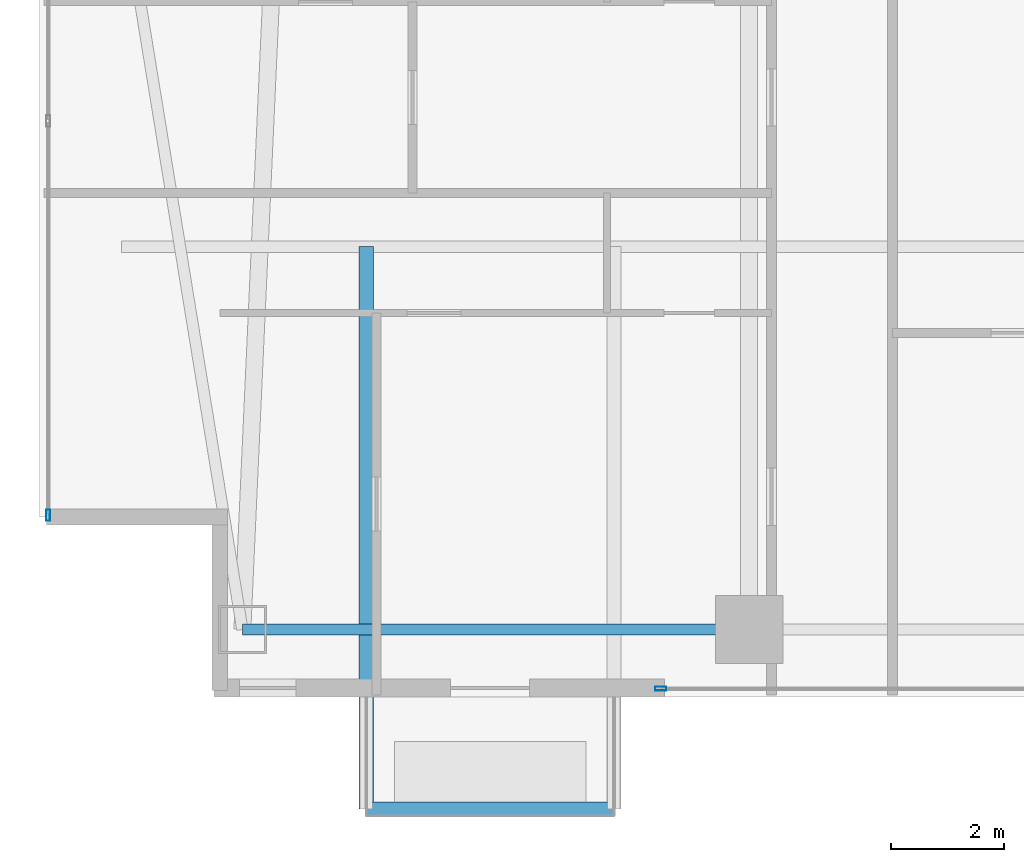
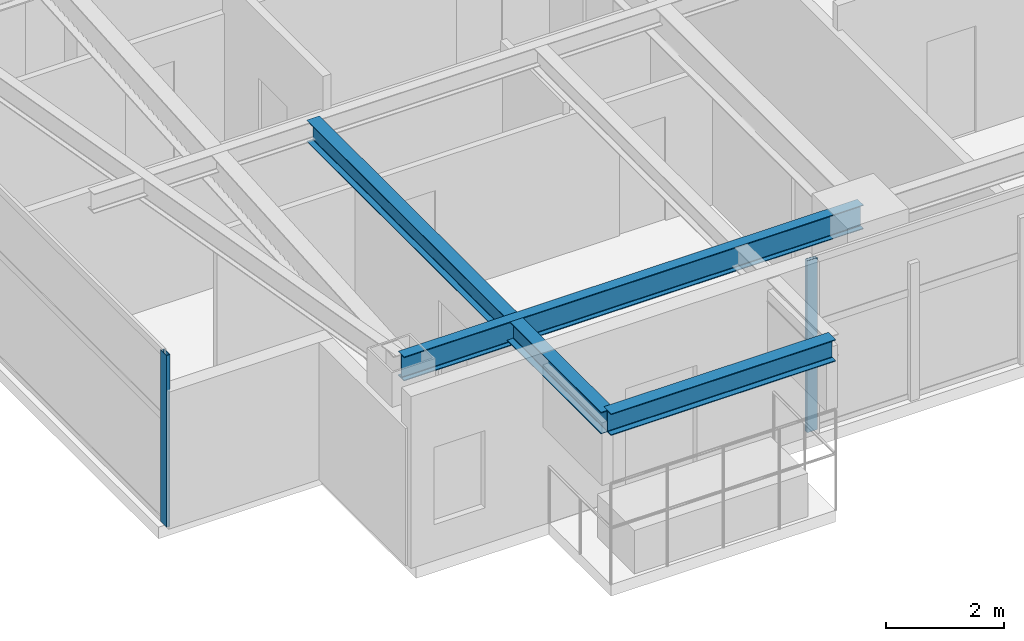
# One storey, part 2 of 29: 3 beams, 2 members, 2 elements without a shape of their own.
"""IFC4 building model written with IfcOpenShell, lengths in metres."""

import ifcopenshell
import ifcopenshell.guid

model = None  # the IFC model being written
_history = None  # IfcOwnerHistory: only IFC2X3 demands one
_inside = {}  # id of a spatial element -> (the spatial element, [elements in it])
_under = {}  # id of a project, library or spatial element -> (it, [spatial elements below it])
_declared = {}  # id of a project -> (the project, [libraries it declares])
_typed = {}  # id of a type object -> (the type object, [elements of that type])
_made_of = {}  # id of a material, layer set ... -> (it, [elements and type objects made of it])


def new_model(schema):
    """Start an empty IFC model of exactly this schema.

    Asked for "IFC4X3", IfcOpenShell would pick the latest addendum, in which some entities
    have other attributes; the version numbers below select the first issue.
    IFC2X3 requires an IfcOwnerHistory on every rooted entity: one is made here for all.
    """
    global model, _history
    if schema == "IFC4X3":
        model = ifcopenshell.file(schema_version=(4, 3, 0, 0))
    else:
        model = ifcopenshell.file(schema=schema)
    _inside.clear()
    _under.clear()
    _declared.clear()
    _typed.clear()
    _made_of.clear()
    _history = None
    if model.schema == "IFC2X3":
        org = make("IfcOrganization", Name="unknown")
        user = make(
            "IfcPersonAndOrganization",
            ThePerson=make("IfcPerson", FamilyName="unknown"),
            TheOrganization=org,
        )
        app = make(
            "IfcApplication",
            ApplicationDeveloper=org,
            Version="unknown",
            ApplicationFullName="unknown",
            ApplicationIdentifier="unknown",
        )
        _history = make(
            "IfcOwnerHistory",
            OwningUser=user,
            OwningApplication=app,
            ChangeAction="ADDED",
            CreationDate=0,
        )
    return model


def make(cls, **values):
    """One entity of the class cls with the attributes given. An attribute that is None is left unset."""
    return model.create_entity(
        cls, **{name: value for name, value in values.items() if value is not None}
    )


def rooted(cls, **values):
    """An entity with a GlobalId (a new one), such as an element, a storey or a relation."""
    return make(cls, GlobalId=ifcopenshell.guid.new(), OwnerHistory=_history, **values)


def si_unit(unit_type, name, prefix=None):
    """IfcSIUnit, for example si_unit("LENGTHUNIT", "METRE", prefix="MILLI")."""
    return make("IfcSIUnit", UnitType=unit_type, Prefix=prefix, Name=name)


def assignment(units):
    """IfcUnitAssignment: the units of a project."""
    return None if units is None else make("IfcUnitAssignment", Units=units)


def point(xyz):
    """IfcCartesianPoint."""
    return None if xyz is None else make("IfcCartesianPoint", Coordinates=xyz)


def direction(xyz):
    """IfcDirection."""
    return None if xyz is None else make("IfcDirection", DirectionRatios=xyz)


def frame(location, z_axis=None, x_axis=None):
    """IfcAxis2Placement3D, a coordinate frame: its origin and axes. An axis left out is left unset."""
    return make(
        "IfcAxis2Placement3D",
        Location=point(location),
        Axis=direction(z_axis),
        RefDirection=direction(x_axis),
    )


def frame_2d(location, x_axis=None):
    """IfcAxis2Placement2D, a coordinate frame in the plane: its origin and x axis."""
    return make(
        "IfcAxis2Placement2D", Location=point(location), RefDirection=direction(x_axis)
    )


def origin():
    """The frame at (0, 0, 0) with its axes left unset."""
    return frame((0.0, 0.0, 0.0))


def origin_2d():
    """The frame at (0, 0) in the plane with its x axis left unset."""
    return frame_2d((0.0, 0.0))


def place(relative_to, where):
    """IfcLocalPlacement: puts the frame where relative to a parent placement (None: the world)."""
    return make(
        "IfcLocalPlacement", PlacementRelTo=relative_to, RelativePlacement=where
    )


def context(
    kind, dimensions, precision=None, world=None, true_north=None, identifier=None
):
    """IfcGeometricRepresentationContext, for example the 3D "Model" context."""
    return make(
        "IfcGeometricRepresentationContext",
        ContextIdentifier=identifier,
        ContextType=kind,
        CoordinateSpaceDimension=dimensions,
        Precision=precision,
        WorldCoordinateSystem=world,
        TrueNorth=true_north,
    )


def subcontext(parent, identifier, kind, view, scale=None):
    """IfcGeometricRepresentationSubContext, for example "Body" below "Model"."""
    return make(
        "IfcGeometricRepresentationSubContext",
        ContextIdentifier=identifier,
        ContextType=kind,
        ParentContext=parent,
        TargetScale=scale,
        TargetView=view,
    )


def project(units=None, contexts=None):
    """IfcProject with its units and contexts."""
    return rooted(
        "IfcProject",
        Name="project",
        RepresentationContexts=contexts,
        UnitsInContext=assignment(units),
    )


def spatial(cls, under=None, at=None, **own):
    """A site, building, storey or space (cls), placed at a placement, below another one or the project."""
    s = rooted(cls, ObjectPlacement=at, **own)
    if under is not None:
        _under.setdefault(under.id(), (under, []))[1].append(s)
    return s


def profile(cls, at=None, kind="AREA", **sizes):
    """A parametric profile (cls). Its sizes go by their IFC names, for example OverallWidth=200.0."""
    return make(cls, ProfileType=kind, Position=at, **sizes)


def hollow_rectangle(**sizes):
    """IfcRectangleHollowProfileDef."""
    return profile("IfcRectangleHollowProfileDef", **sizes)


def i_section(**sizes):
    """IfcIShapeProfileDef."""
    return profile("IfcIShapeProfileDef", **sizes)


def extrude(swept, where, along, depth):
    """IfcExtrudedAreaSolid: the profile swept, set in the frame where, extruded along a direction by depth."""
    return make(
        "IfcExtrudedAreaSolid",
        SweptArea=swept,
        Position=where,
        ExtrudedDirection=direction(along),
        Depth=depth,
    )


def shape(context_of_items, identifier, shape_type, items):
    """IfcShapeRepresentation: the items that make up one representation, for example the "Body"."""
    return make(
        "IfcShapeRepresentation",
        ContextOfItems=context_of_items,
        RepresentationIdentifier=identifier,
        RepresentationType=shape_type,
        Items=items,
    )


def material(Name=None, Category=None):
    """IfcMaterial."""
    return make("IfcMaterial", Name=Name, Category=Category)


def layer(
    of_material, thickness, ventilated=None, Name=None, Category=None, Priority=None
):
    """IfcMaterialLayer: one layer of a wall or slab, of a material (None: an air gap)."""
    return make(
        "IfcMaterialLayer",
        Material=of_material,
        LayerThickness=thickness,
        IsVentilated=ventilated,
        Name=Name,
        Category=Category,
        Priority=Priority,
    )


def layer_set(layers, Name=None):
    """IfcMaterialLayerSet."""
    return make("IfcMaterialLayerSet", MaterialLayers=layers, LayerSetName=Name)


def material_profile(
    of_material, cross_section, Name=None, Category=None, Priority=None
):
    """IfcMaterialProfile: a cross section and its material."""
    return make(
        "IfcMaterialProfile",
        Name=Name,
        Material=of_material,
        Profile=cross_section,
        Priority=Priority,
        Category=Category,
    )


def profile_set(profiles, Name=None, composite=None):
    """IfcMaterialProfileSet."""
    return make(
        "IfcMaterialProfileSet",
        Name=Name,
        MaterialProfiles=profiles,
        CompositeProfile=composite,
    )


def made_of(thing, what):
    """Note that an element or type object is made of a material, layer set ...; save() writes the relation."""
    if what is not None:
        _made_of.setdefault(what.id(), (what, []))[1].append(thing)
    return thing


def type_object(cls, material=None, **own):
    """A type object (cls), such as IfcWallType, which elements share."""
    return made_of(rooted(cls, **own), material)


def element(
    cls,
    number,
    at=None,
    inside=None,
    cuts=None,
    type_object=None,
    material=None,
    context=None,
    identifier="Body",
    shape_type=None,
    held_by="IfcProductDefinitionShape",
    body=None,
    shapes=None,
    **own,
):
    """One element of the class cls, such as IfcWall. Its Tag is "e" and its number.

    at: its placement. inside: the storey or other place that contains it. cuts: it is an
    opening in that element (IfcRelVoidsElement). A single representation is given by context,
    identifier, shape_type and body (its items); several are given by shapes. held_by: the class
    of the entity that holds the representations. save() writes the other relations.
    """
    e = rooted(cls, Tag="e%d" % number, ObjectPlacement=at, **own)
    if body is not None:
        shapes = [shape(context, identifier, shape_type, body)]
    if shapes is not None:
        e.Representation = make(held_by, Representations=shapes)
    if inside is not None:
        _inside.setdefault(inside.id(), (inside, []))[1].append(e)
    if cuts is not None:
        rooted(
            "IfcRelVoidsElement", RelatingBuildingElement=cuts, RelatedOpeningElement=e
        )
    if type_object is not None:
        _typed.setdefault(type_object.id(), (type_object, []))[1].append(e)
    return made_of(e, material)


def aggregate(whole, parts):
    """IfcRelAggregates: a whole, such as a stair, and the parts it consists of."""
    return rooted("IfcRelAggregates", RelatingObject=whole, RelatedObjects=parts)


def save(model, path):
    """Write the relations noted so far, then the file.

    IfcRelAggregates (storeys below a building ...), IfcRelContainedInSpatialStructure (elements
    in a storey), IfcRelDefinesByType, IfcRelAssociatesMaterial and IfcRelDeclares: one each for
    every whole, place, type object, material and project.
    """
    for whole, parts in _under.values():
        aggregate(whole, parts)
    for where, things in _inside.values():
        rooted(
            "IfcRelContainedInSpatialStructure",
            RelatedElements=things,
            RelatingStructure=where,
        )
    for kind, things in _typed.values():
        rooted("IfcRelDefinesByType", RelatedObjects=things, RelatingType=kind)
    for what, things in _made_of.values():
        rooted("IfcRelAssociatesMaterial", RelatedObjects=things, RelatingMaterial=what)
    for by, libraries in _declared.values():
        rooted("IfcRelDeclares", RelatingContext=by, RelatedDefinitions=libraries)
    model.write(path)


model = new_model("IFC4")

# Units and contexts
model_context = context("Model", 3, precision=1e-05, world=origin(), true_north=direction((0.0, 1.0)))
body_context = subcontext(model_context, "Body", "Model", "MODEL_VIEW")
ifc_project = project(units=[si_unit("LENGTHUNIT", "METRE"), si_unit("AREAUNIT", "SQUARE_METRE"), si_unit("VOLUMEUNIT", "CUBIC_METRE"), si_unit("PLANEANGLEUNIT", "RADIAN"), si_unit("MASSUNIT", "GRAM", prefix="KILO")], contexts=[model_context])

# Site, building, storey
site_placement = place(None, origin())
site = spatial("IfcSite", under=ifc_project, at=site_placement, CompositionType="ELEMENT")
building_placement = place(site_placement, origin())
building = spatial("IfcBuilding", under=site, at=building_placement, Name="Calvorn Quay Hotel", CompositionType="ELEMENT")
storey_placement = place(building_placement, frame((0.0, 0.0, 105.0)))
storey = spatial("IfcBuildingStorey", under=building, at=storey_placement, Name="L25", CompositionType="ELEMENT", Elevation=105.0)

# Beams
ifc_material_1 = material(Name="Steel Q355B", Category="steel")
ifc_material_profile_1 = material_profile(ifc_material_1, i_section(OverallWidth=0.25, OverallDepth=0.449951171875, WebThickness=0.011962890625, FlangeThickness=0.01611328125, FilletRadius=0.01611328125, at=origin_2d()), Name="HN450x250x12x16")
ifc_profile_set_1 = profile_set([ifc_material_profile_1], Name="Steel Q355B")
beam_type_1 = type_object("IfcBeamType", Name="BM-CANT-BALC", PredefinedType="BEAM", material=ifc_profile_set_1)
beam_1_placement = place(storey_placement, frame((5.800048828125, 10.39990234375, 3.31494140625), z_axis=(0.0, -1.0, 0.0), x_axis=(1.0, 0.0, 0.0)))
element("IfcBeam", 1, at=beam_1_placement, inside=storey, type_object=beam_type_1, Name="Cantilever Balcony Beam BCB-L26-2A", PredefinedType="BEAM", context=body_context, shape_type="SweptSolid", body=[
    extrude(i_section(OverallWidth=0.25, OverallDepth=0.449951171875, WebThickness=0.011962890625, FlangeThickness=0.01611328125, FilletRadius=0.01611328125, at=origin_2d()), origin(), (0.0, 0.0, 1.0), 9.989990234375),
])
beam_2_placement = place(storey_placement, frame((5.800048828125, 0.409912109375, 3.31494140625), z_axis=(1.0, 0.0, 0.0), x_axis=(0.0, 1.0, 0.0)))
element("IfcBeam", 2, at=beam_2_placement, inside=storey, type_object=beam_type_1, Name="Beam BCBO-L26-2", PredefinedType="BEAM", context=body_context, shape_type="SweptSolid", body=[
    extrude(i_section(OverallWidth=0.25, OverallDepth=0.449951171875, WebThickness=0.011962890625, FlangeThickness=0.01611328125, FilletRadius=0.01611328125, at=origin_2d()), origin(), (0.0, 0.0, 1.0), 4.39990234375),
])
ifc_material_2 = material(Name="Steel Q355B", Category="steel")
ifc_material_profile_2 = material_profile(ifc_material_2, i_section(OverallWidth=0.199951171875, OverallDepth=0.5, WebThickness=0.010009765625, FlangeThickness=0.01611328125, FilletRadius=0.01611328125, at=origin_2d()), Name="HN500x200x10x16")
ifc_profile_set_2 = profile_set([ifc_material_profile_2], Name="Steel Q355B")
beam_type_2 = type_object("IfcBeamType", Name="BM-SPANDREL-Z1", PredefinedType="SPANDREL", material=ifc_profile_set_2)
beam_3_placement = place(storey_placement, frame((3.60009765625, 3.60009765625, 3.2900390625), z_axis=(1.0, 0.0, 0.0), x_axis=(0.0, 1.0, 0.0)))
element("IfcBeam", 3, at=beam_3_placement, inside=storey, type_object=beam_type_2, Name="Beam BSP-L25-S1", PredefinedType="SPANDREL", context=body_context, shape_type="SweptSolid", body=[
    extrude(i_section(OverallWidth=0.199951171875, OverallDepth=0.5, WebThickness=0.010009765625, FlangeThickness=0.01611328125, FilletRadius=0.01611328125, at=origin_2d()), origin(), (0.0, 0.0, 1.0), 9.0),
])

# Curtain wall, member
ifc_material_3 = material(Name="Pale Anodised Aluminium and Low-E Glass", Category="aluminium")
ifc_layer = layer(ifc_material_3, 0.219970703125)
ifc_layer_set = layer_set([ifc_layer], Name="CW-SYS-Z2")
curtain_wall_type = type_object("IfcCurtainWallType", Name="CW-SYS-Z2", PredefinedType="NOTDEFINED", material=ifc_layer_set)
curtain_wall_1_placement = place(storey_placement, origin())
curtain_wall_1 = element("IfcCurtainWall", 4, at=curtain_wall_1_placement, inside=storey, type_object=curtain_wall_type, Name="Tower West Curtain Wall (L25)", PredefinedType="NOTDEFINED")
ifc_material_4 = material(Name="Pale Anodised Aluminium 6063-T6", Category="aluminium")
ifc_material_profile_3 = material_profile(ifc_material_4, hollow_rectangle(XDim=0.070068359375, YDim=0.199951171875, WallThickness=0.00390625, at=origin_2d()), Name="ALU-M200x70x4")
ifc_profile_set_3 = profile_set([ifc_material_profile_3], Name="Pale Anodised Aluminium 6063-T6")
member_type = type_object("IfcMemberType", Name="CW-SYS-Z2-MUL", PredefinedType="MULLION", material=ifc_profile_set_3)
member_1_placement = place(storey_placement, frame((0.14990234375, 5.6298828125, 0.0), z_axis=(0.0, 0.0, 1.0), x_axis=(-1.0, 0.0, 0.0)))
member_1 = element("IfcMember", 5, at=member_1_placement, type_object=member_type, Name="CW-L25-W mullion 1", PredefinedType="MULLION", context=body_context, shape_type="SweptSolid", body=[
    extrude(hollow_rectangle(XDim=0.070068359375, YDim=0.199951171875, WallThickness=0.00390625, at=origin_2d()), origin(), (0.0, 0.0, 1.0), 3.56005859375),
])
aggregate(curtain_wall_1, [member_1])

curtain_wall_2_placement = place(storey_placement, origin())
curtain_wall_2 = element("IfcCurtainWall", 6, at=curtain_wall_2_placement, inside=storey, type_object=curtain_wall_type, Name="Tower South Waterfront Curtain Wall (L25)", PredefinedType="NOTDEFINED")
member_2_placement = place(storey_placement, frame((11.030029296875, 2.550048828125, 0.0), z_axis=(0.0, 0.0, 1.0), x_axis=(0.0, 1.0, 0.0)))
member_2 = element("IfcMember", 7, at=member_2_placement, type_object=member_type, Name="CW-L25-S mullion 1", PredefinedType="MULLION", context=body_context, shape_type="SweptSolid", body=[
    extrude(hollow_rectangle(XDim=0.070068359375, YDim=0.199951171875, WallThickness=0.00390625, at=origin_2d()), origin(), (0.0, 0.0, 1.0), 3.56005859375),
])
aggregate(curtain_wall_2, [member_2])

save(model, "model.ifc")
